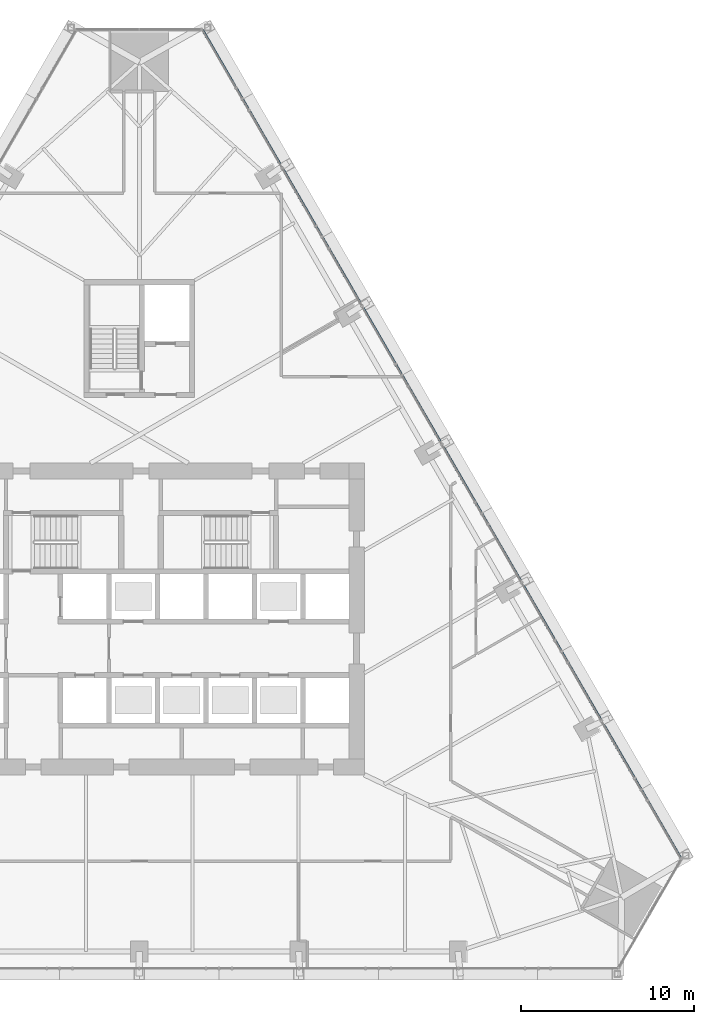
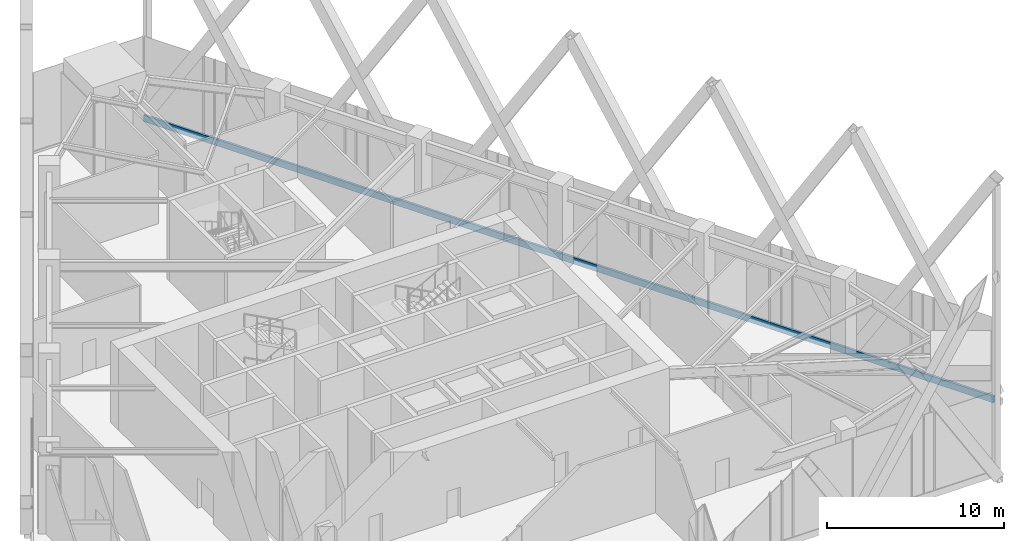
# One storey, part 8 of 21: 1 member, 1 element without a shape of its own.
"""IFC4 building model written with IfcOpenShell, lengths in metres."""

from ifc_helpers import new_model, si_unit, direction, frame, origin, origin_2d, place, context, subcontext, project, spatial, rectangle, extrude, material, layer, layer_set, material_profile, profile_set, type_object, element, aggregate, save


model = new_model("IFC4")

# Units and contexts
model_context = context("Model", 3, precision=1e-05, world=origin(), true_north=direction((0.0, 1.0)))
body_context = subcontext(model_context, "Body", "Model", "MODEL_VIEW")
ifc_project = project(units=[si_unit("LENGTHUNIT", "METRE"), si_unit("AREAUNIT", "SQUARE_METRE"), si_unit("VOLUMEUNIT", "CUBIC_METRE"), si_unit("PLANEANGLEUNIT", "RADIAN"), si_unit("MASSUNIT", "GRAM", prefix="KILO")], contexts=[model_context])

# Site, building, storey
site_placement = place(None, origin())
site = spatial("IfcSite", under=ifc_project, at=site_placement, CompositionType="ELEMENT")
building_placement = place(site_placement, origin())
building = spatial("IfcBuilding", under=site, at=building_placement, Name="Firuza Gate Tower and Library", CompositionType="ELEMENT")
storey_placement = place(building_placement, frame((0.0, 0.0, 140.800048828125)))
storey = spatial("IfcBuildingStorey", under=building, at=storey_placement, Name="L32", CompositionType="ELEMENT", Elevation=140.800048828125)

# Curtain wall, member
ifc_material_1 = material(Name="Aluminium 6063-T6", Category="aluminium")
ifc_layer = layer(ifc_material_1, 0.14990234375)
ifc_layer_set = layer_set([ifc_layer], Name="Unitised curtain wall, offices")
curtain_wall_type = type_object("IfcCurtainWallType", Name="Unitised curtain wall, offices", PredefinedType="NOTDEFINED", material=ifc_layer_set)
curtain_wall_placement = place(storey_placement, origin())
curtain_wall = element("IfcCurtainWall", 1, at=curtain_wall_placement, inside=storey, type_object=curtain_wall_type, Name="CW1 L32 E face", PredefinedType="NOTDEFINED")
ifc_material_2 = material(Name="Aluminium 6063-T6", Category="aluminium")
ifc_material_profile = material_profile(ifc_material_2, rectangle(XDim=0.14990234375, YDim=0.449951171875, at=origin_2d()))
ifc_profile_set = profile_set([ifc_material_profile], Name="Aluminium 6063-T6")
member_type = type_object("IfcMemberType", Name="Curtain wall transom 450x150", PredefinedType="USERDEFINED", material=ifc_profile_set)
member_placement = place(storey_placement, frame((106.306884765625, 61.1318359375, -0.074951171875), z_axis=(-0.499999382841, 0.866025760101, 0.0), x_axis=(-0.866025760101, -0.499999382841, 0.0)))
member = element("IfcMember", 2, at=member_placement, type_object=member_type, Name="Transom", ObjectType="TRANSOM", PredefinedType="USERDEFINED", context=body_context, shape_type="SweptSolid", body=[
    extrude(rectangle(XDim=0.14990234375, YDim=0.449951171875, at=origin_2d()), origin(), (0.0, 0.0, 1.0), 55.3271484375),
])
aggregate(curtain_wall, [member])

save(model, "model.ifc")
